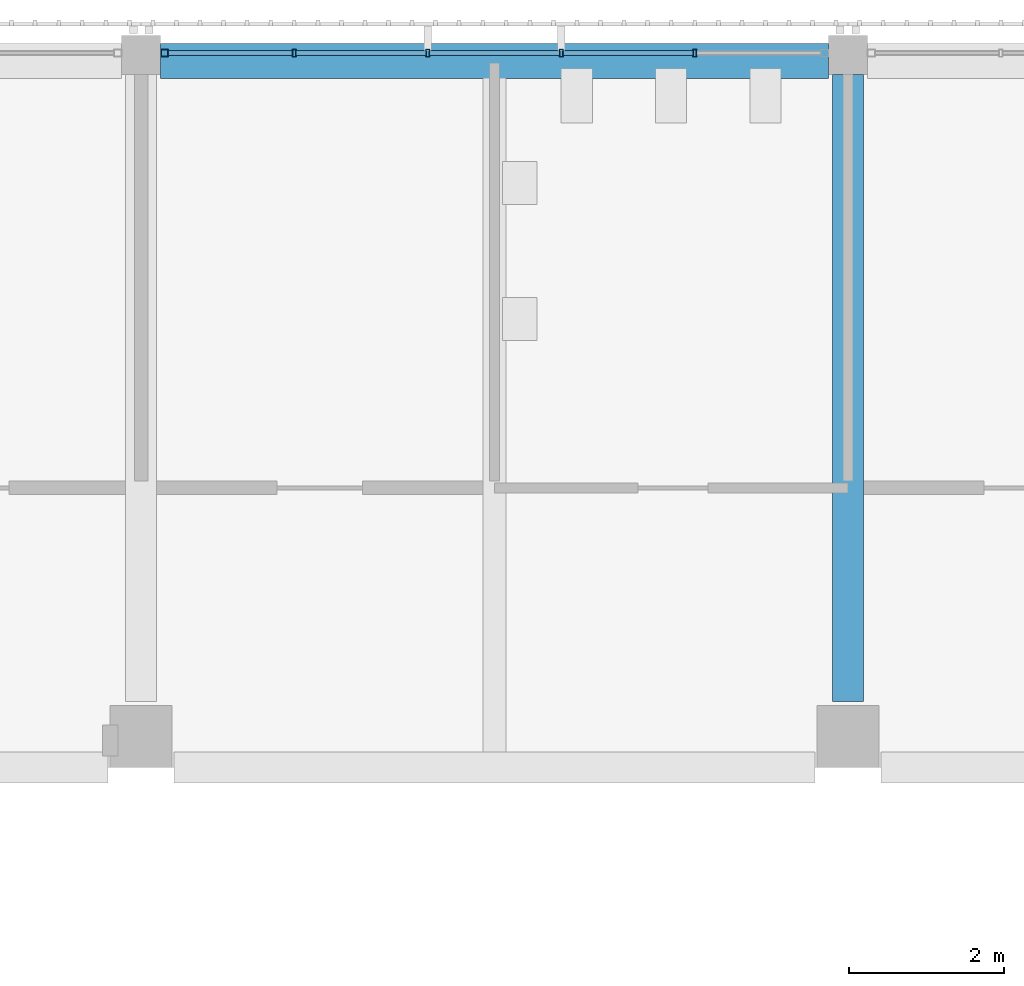
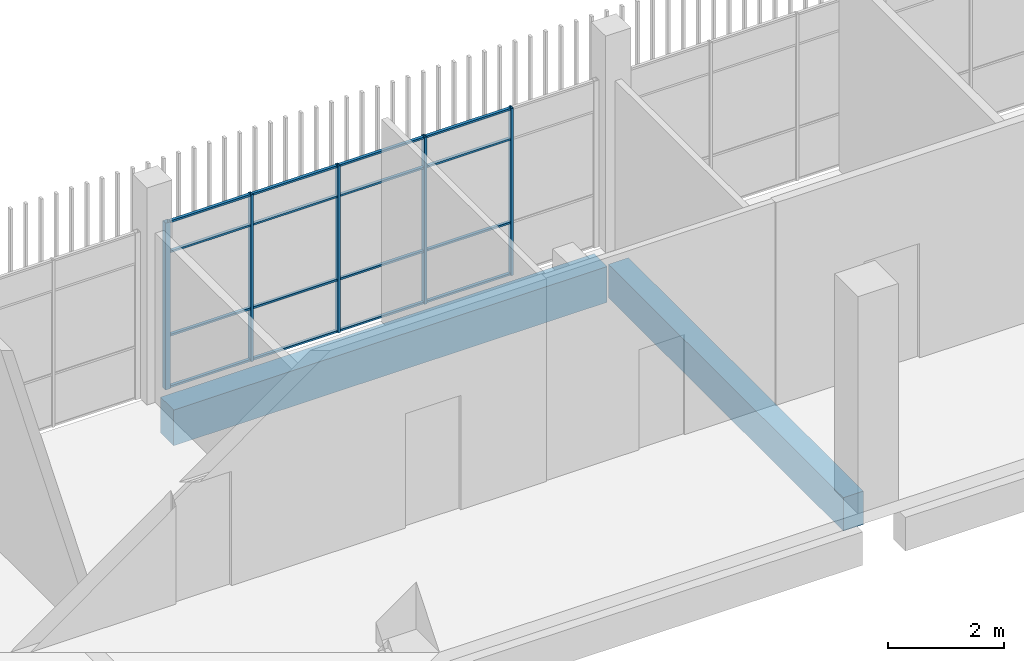
# One storey, part 39 of 124: 21 members, 2 beams, 1 element without a shape of its own.
"""IFC4 building model written with IfcOpenShell, lengths in metres."""

from ifc_helpers import new_model, si_unit, direction, frame, origin, origin_2d, place, context, subcontext, project, spatial, rectangle, hollow_rectangle, extrude, material, layer, layer_set, material_profile, profile_set, type_object, element, aggregate, save


model = new_model("IFC4")

# Units and contexts
model_context = context("Model", 3, precision=1e-05, world=origin(), true_north=direction((0.0, 1.0)))
body_context = subcontext(model_context, "Body", "Model", "MODEL_VIEW")
ifc_project = project(units=[si_unit("LENGTHUNIT", "METRE"), si_unit("AREAUNIT", "SQUARE_METRE"), si_unit("VOLUMEUNIT", "CUBIC_METRE"), si_unit("PLANEANGLEUNIT", "RADIAN"), si_unit("MASSUNIT", "GRAM", prefix="KILO")], contexts=[model_context])

# Site, building, storey
site_placement = place(None, origin())
site = spatial("IfcSite", under=ifc_project, at=site_placement, CompositionType="ELEMENT")
building_placement = place(site_placement, origin())
building = spatial("IfcBuilding", under=site, at=building_placement, Name="Shirokan Park Arena", CompositionType="ELEMENT")
storey_placement = place(building_placement, frame((0.0, 0.0, 20.02001953125)))
storey = spatial("IfcBuildingStorey", under=building, at=storey_placement, Name="L04", CompositionType="ELEMENT", Elevation=20.02001953125)

# Curtain wall, members
ifc_material_1 = material(Name="Steel and glass curtain wall", Category="steel")
ifc_layer = layer(ifc_material_1, 0.10009765625)
ifc_layer_set = layer_set([ifc_layer], Name="Steel and glass curtain wall 100 mm")
curtain_wall_type = type_object("IfcCurtainWallType", Name="Curtain wall sheltered bay 100", PredefinedType="NOTDEFINED", material=ifc_layer_set)
curtain_wall_placement = place(storey_placement, origin())
curtain_wall = element("IfcCurtainWall", 1, at=curtain_wall_placement, inside=storey, type_object=curtain_wall_type, Name="Curtain wall north bay 9 L04", PredefinedType="NOTDEFINED")
ifc_material_2 = material(Name="Steel S355", Category="steel")
ifc_material_profile_1 = material_profile(ifc_material_2, hollow_rectangle(XDim=0.10009765625, YDim=0.10009765625, WallThickness=0.006103515625, at=origin_2d()), Name="RHS 100x100x6")
ifc_profile_set_1 = profile_set([ifc_material_profile_1], Name="Steel S355")
member_type_1 = type_object("IfcMemberType", Name="Mullion RHS 100x100x6", PredefinedType="MULLION", material=ifc_profile_set_1)
member_1_placement = place(storey_placement, frame((64.0, 109.300048828125, 0.0), z_axis=(0.0, 0.0, 1.0), x_axis=(0.0, -1.0, 0.0)))
member_1 = element("IfcMember", 2, at=member_1_placement, type_object=member_type_1, Name="CW2 mullion 6", PredefinedType="MULLION", context=body_context, shape_type="SweptSolid", body=[
    extrude(hollow_rectangle(XDim=0.10009765625, YDim=0.10009765625, WallThickness=0.006103515625, at=origin_2d()), origin(), (0.0, 0.0, 1.0), 3.5),
])
ifc_material_profile_2 = material_profile(ifc_material_2, hollow_rectangle(XDim=0.10009765625, YDim=0.050048828125, WallThickness=0.0048828125, at=origin_2d()), Name="RHS 100x50x5")
ifc_profile_set_2 = profile_set([ifc_material_profile_2], Name="Steel S355")
member_type_2 = type_object("IfcMemberType", Name="Mullion RHS 100x50x5", PredefinedType="MULLION", material=ifc_profile_set_2)
member_2_placement = place(storey_placement, frame((70.830078125, 109.300048828125, 0.0), z_axis=(0.0, 0.0, 1.0), x_axis=(0.0, -1.0, 0.0)))
member_2 = element("IfcMember", 3, at=member_2_placement, type_object=member_type_2, Name="CW2 mullion 2", PredefinedType="MULLION", context=body_context, shape_type="SweptSolid", body=[
    extrude(hollow_rectangle(XDim=0.10009765625, YDim=0.050048828125, WallThickness=0.0048828125, at=origin_2d()), origin(), (0.0, 0.0, 1.0), 3.5),
])
member_3_placement = place(storey_placement, frame((69.110107421875, 109.300048828125, 0.0), z_axis=(0.0, 0.0, 1.0), x_axis=(0.0, -1.0, 0.0)))
member_3 = element("IfcMember", 4, at=member_3_placement, type_object=member_type_2, Name="CW2 mullion 3", PredefinedType="MULLION", context=body_context, shape_type="SweptSolid", body=[
    extrude(hollow_rectangle(XDim=0.10009765625, YDim=0.050048828125, WallThickness=0.0048828125, at=origin_2d()), origin(), (0.0, 0.0, 1.0), 3.5),
])
member_4_placement = place(storey_placement, frame((67.389892578125, 109.300048828125, 0.0), z_axis=(0.0, 0.0, 1.0), x_axis=(0.0, -1.0, 0.0)))
member_4 = element("IfcMember", 5, at=member_4_placement, type_object=member_type_2, Name="CW2 mullion 4", PredefinedType="MULLION", context=body_context, shape_type="SweptSolid", body=[
    extrude(hollow_rectangle(XDim=0.10009765625, YDim=0.050048828125, WallThickness=0.0048828125, at=origin_2d()), origin(), (0.0, 0.0, 1.0), 3.5),
])
member_5_placement = place(storey_placement, frame((65.669921875, 109.300048828125, 0.0), z_axis=(0.0, 0.0, 1.0), x_axis=(0.0, -1.0, 0.0)))
member_5 = element("IfcMember", 6, at=member_5_placement, type_object=member_type_2, Name="CW2 mullion 5", PredefinedType="MULLION", context=body_context, shape_type="SweptSolid", body=[
    extrude(hollow_rectangle(XDim=0.10009765625, YDim=0.050048828125, WallThickness=0.0048828125, at=origin_2d()), origin(), (0.0, 0.0, 1.0), 3.5),
])

# Beams
ifc_material_3 = material(Name="Concrete C35", Category="concrete")
ifc_material_profile_3 = material_profile(ifc_material_3, rectangle(XDim=0.39990234375, YDim=0.699951171875, at=origin_2d()), Name="400x700")
ifc_profile_set_3 = profile_set([ifc_material_profile_3], Name="Concrete C35")
beam_type_1 = type_object("IfcBeamType", Name="RC girder 400x700", PredefinedType="BEAM", material=ifc_profile_set_3)
beam_1_placement = place(storey_placement, frame((72.800048828125, 100.9501953125, -0.60009765625), z_axis=(0.0, 1.0, 0.0), x_axis=(-1.0, 0.0, 0.0)))
element("IfcBeam", 7, at=beam_1_placement, inside=storey, type_object=beam_type_1, Name="Girder 9M-9N L04", PredefinedType="BEAM", context=body_context, shape_type="SweptSolid", body=[
    extrude(rectangle(XDim=0.39990234375, YDim=0.699951171875, at=origin_2d()), origin(), (0.0, 0.0, 1.0), 8.07470703125),
])
ifc_material_profile_4 = material_profile(ifc_material_3, rectangle(XDim=0.449951171875, YDim=0.75, at=origin_2d()), Name="450x750")
ifc_profile_set_4 = profile_set([ifc_material_profile_4], Name="Concrete C35")
beam_type_2 = type_object("IfcBeamType", Name="RC girder 450x750", PredefinedType="BEAM", material=ifc_profile_set_4)
beam_2_placement = place(storey_placement, frame((63.9501953125, 109.199951171875, -0.625), z_axis=(1.0, 0.0, 0.0), x_axis=(0.0, 1.0, 0.0)))
element("IfcBeam", 8, at=beam_2_placement, inside=storey, type_object=beam_type_2, Name="Girder 8N-9N L04", PredefinedType="BEAM", context=body_context, shape_type="SweptSolid", body=[
    extrude(rectangle(XDim=0.449951171875, YDim=0.75, at=origin_2d()), origin(), (0.0, 0.0, 1.0), 8.599609375),
])

# Member
ifc_material_profile_5 = material_profile(ifc_material_2, hollow_rectangle(XDim=0.06005859375, YDim=0.0400390625, WallThickness=0.00390625, at=origin_2d()), Name="RHS 60x40x4")
ifc_profile_set_5 = profile_set([ifc_material_profile_5], Name="Steel S355")
member_type_3 = type_object("IfcMemberType", Name="Transom RHS 60x40x4", PredefinedType="MULLION", material=ifc_profile_set_5)
member_6_placement = place(storey_placement, frame((70.804931640625, 109.300048828125, 0.02001953125), z_axis=(-1.0, 0.0, 0.0), x_axis=(0.0, -1.0, 0.0)))
member_6 = element("IfcMember", 9, at=member_6_placement, type_object=member_type_3, Name="CW2 transom 2.1", PredefinedType="MULLION", context=body_context, shape_type="SweptSolid", body=[
    extrude(hollow_rectangle(XDim=0.06005859375, YDim=0.0400390625, WallThickness=0.00390625, at=origin_2d()), origin(), (0.0, 0.0, 1.0), 1.669921875),
])

member_7_placement = place(storey_placement, frame((70.804931640625, 109.300048828125, 1.10009765625), z_axis=(-1.0, 0.0, 0.0), x_axis=(0.0, -1.0, 0.0)))
member_7 = element("IfcMember", 10, at=member_7_placement, type_object=member_type_3, Name="CW2 transom 2.2", PredefinedType="MULLION", context=body_context, shape_type="SweptSolid", body=[
    extrude(hollow_rectangle(XDim=0.06005859375, YDim=0.0400390625, WallThickness=0.00390625, at=origin_2d()), origin(), (0.0, 0.0, 1.0), 1.669921875),
])

member_8_placement = place(storey_placement, frame((70.804931640625, 109.300048828125, 2.85009765625), z_axis=(-1.0, 0.0, 0.0), x_axis=(0.0, -1.0, 0.0)))
member_8 = element("IfcMember", 11, at=member_8_placement, type_object=member_type_3, Name="CW2 transom 2.3", PredefinedType="MULLION", context=body_context, shape_type="SweptSolid", body=[
    extrude(hollow_rectangle(XDim=0.06005859375, YDim=0.0400390625, WallThickness=0.00390625, at=origin_2d()), origin(), (0.0, 0.0, 1.0), 1.669921875),
])

member_9_placement = place(storey_placement, frame((70.804931640625, 109.300048828125, 3.47998046875), z_axis=(-1.0, 0.0, 0.0), x_axis=(0.0, -1.0, 0.0)))
member_9 = element("IfcMember", 12, at=member_9_placement, type_object=member_type_3, Name="CW2 transom 2.4", PredefinedType="MULLION", context=body_context, shape_type="SweptSolid", body=[
    extrude(hollow_rectangle(XDim=0.06005859375, YDim=0.0400390625, WallThickness=0.00390625, at=origin_2d()), origin(), (0.0, 0.0, 1.0), 1.669921875),
])

member_10_placement = place(storey_placement, frame((69.0849609375, 109.300048828125, 0.02001953125), z_axis=(-1.0, 0.0, 0.0), x_axis=(0.0, -1.0, 0.0)))
member_10 = element("IfcMember", 13, at=member_10_placement, type_object=member_type_3, Name="CW2 transom 3.1", PredefinedType="MULLION", context=body_context, shape_type="SweptSolid", body=[
    extrude(hollow_rectangle(XDim=0.06005859375, YDim=0.0400390625, WallThickness=0.00390625, at=origin_2d()), origin(), (0.0, 0.0, 1.0), 1.669921875),
])

member_11_placement = place(storey_placement, frame((69.0849609375, 109.300048828125, 1.10009765625), z_axis=(-1.0, 0.0, 0.0), x_axis=(0.0, -1.0, 0.0)))
member_11 = element("IfcMember", 14, at=member_11_placement, type_object=member_type_3, Name="CW2 transom 3.2", PredefinedType="MULLION", context=body_context, shape_type="SweptSolid", body=[
    extrude(hollow_rectangle(XDim=0.06005859375, YDim=0.0400390625, WallThickness=0.00390625, at=origin_2d()), origin(), (0.0, 0.0, 1.0), 1.669921875),
])

member_12_placement = place(storey_placement, frame((69.0849609375, 109.300048828125, 2.85009765625), z_axis=(-1.0, 0.0, 0.0), x_axis=(0.0, -1.0, 0.0)))
member_12 = element("IfcMember", 15, at=member_12_placement, type_object=member_type_3, Name="CW2 transom 3.3", PredefinedType="MULLION", context=body_context, shape_type="SweptSolid", body=[
    extrude(hollow_rectangle(XDim=0.06005859375, YDim=0.0400390625, WallThickness=0.00390625, at=origin_2d()), origin(), (0.0, 0.0, 1.0), 1.669921875),
])

member_13_placement = place(storey_placement, frame((69.0849609375, 109.300048828125, 3.47998046875), z_axis=(-1.0, 0.0, 0.0), x_axis=(0.0, -1.0, 0.0)))
member_13 = element("IfcMember", 16, at=member_13_placement, type_object=member_type_3, Name="CW2 transom 3.4", PredefinedType="MULLION", context=body_context, shape_type="SweptSolid", body=[
    extrude(hollow_rectangle(XDim=0.06005859375, YDim=0.0400390625, WallThickness=0.00390625, at=origin_2d()), origin(), (0.0, 0.0, 1.0), 1.669921875),
])

member_14_placement = place(storey_placement, frame((67.364990234375, 109.300048828125, 0.02001953125), z_axis=(-1.0, 0.0, 0.0), x_axis=(0.0, -1.0, 0.0)))
member_14 = element("IfcMember", 17, at=member_14_placement, type_object=member_type_3, Name="CW2 transom 4.1", PredefinedType="MULLION", context=body_context, shape_type="SweptSolid", body=[
    extrude(hollow_rectangle(XDim=0.06005859375, YDim=0.0400390625, WallThickness=0.00390625, at=origin_2d()), origin(), (0.0, 0.0, 1.0), 1.669921875),
])

member_15_placement = place(storey_placement, frame((67.364990234375, 109.300048828125, 1.10009765625), z_axis=(-1.0, 0.0, 0.0), x_axis=(0.0, -1.0, 0.0)))
member_15 = element("IfcMember", 18, at=member_15_placement, type_object=member_type_3, Name="CW2 transom 4.2", PredefinedType="MULLION", context=body_context, shape_type="SweptSolid", body=[
    extrude(hollow_rectangle(XDim=0.06005859375, YDim=0.0400390625, WallThickness=0.00390625, at=origin_2d()), origin(), (0.0, 0.0, 1.0), 1.669921875),
])

member_16_placement = place(storey_placement, frame((67.364990234375, 109.300048828125, 2.85009765625), z_axis=(-1.0, 0.0, 0.0), x_axis=(0.0, -1.0, 0.0)))
member_16 = element("IfcMember", 19, at=member_16_placement, type_object=member_type_3, Name="CW2 transom 4.3", PredefinedType="MULLION", context=body_context, shape_type="SweptSolid", body=[
    extrude(hollow_rectangle(XDim=0.06005859375, YDim=0.0400390625, WallThickness=0.00390625, at=origin_2d()), origin(), (0.0, 0.0, 1.0), 1.669921875),
])

member_17_placement = place(storey_placement, frame((67.364990234375, 109.300048828125, 3.47998046875), z_axis=(-1.0, 0.0, 0.0), x_axis=(0.0, -1.0, 0.0)))
member_17 = element("IfcMember", 20, at=member_17_placement, type_object=member_type_3, Name="CW2 transom 4.4", PredefinedType="MULLION", context=body_context, shape_type="SweptSolid", body=[
    extrude(hollow_rectangle(XDim=0.06005859375, YDim=0.0400390625, WallThickness=0.00390625, at=origin_2d()), origin(), (0.0, 0.0, 1.0), 1.669921875),
])

member_18_placement = place(storey_placement, frame((65.64501953125, 109.300048828125, 0.02001953125), z_axis=(-1.0, 0.0, 0.0), x_axis=(0.0, -1.0, 0.0)))
member_18 = element("IfcMember", 21, at=member_18_placement, type_object=member_type_3, Name="CW2 transom 5.1", PredefinedType="MULLION", context=body_context, shape_type="SweptSolid", body=[
    extrude(hollow_rectangle(XDim=0.06005859375, YDim=0.0400390625, WallThickness=0.00390625, at=origin_2d()), origin(), (0.0, 0.0, 1.0), 1.594970703125),
])

member_19_placement = place(storey_placement, frame((65.64501953125, 109.300048828125, 1.10009765625), z_axis=(-1.0, 0.0, 0.0), x_axis=(0.0, -1.0, 0.0)))
member_19 = element("IfcMember", 22, at=member_19_placement, type_object=member_type_3, Name="CW2 transom 5.2", PredefinedType="MULLION", context=body_context, shape_type="SweptSolid", body=[
    extrude(hollow_rectangle(XDim=0.06005859375, YDim=0.0400390625, WallThickness=0.00390625, at=origin_2d()), origin(), (0.0, 0.0, 1.0), 1.594970703125),
])

member_20_placement = place(storey_placement, frame((65.64501953125, 109.300048828125, 2.85009765625), z_axis=(-1.0, 0.0, 0.0), x_axis=(0.0, -1.0, 0.0)))
member_20 = element("IfcMember", 23, at=member_20_placement, type_object=member_type_3, Name="CW2 transom 5.3", PredefinedType="MULLION", context=body_context, shape_type="SweptSolid", body=[
    extrude(hollow_rectangle(XDim=0.06005859375, YDim=0.0400390625, WallThickness=0.00390625, at=origin_2d()), origin(), (0.0, 0.0, 1.0), 1.594970703125),
])

member_21_placement = place(storey_placement, frame((65.64501953125, 109.300048828125, 3.47998046875), z_axis=(-1.0, 0.0, 0.0), x_axis=(0.0, -1.0, 0.0)))
member_21 = element("IfcMember", 24, at=member_21_placement, type_object=member_type_3, Name="CW2 transom 5.4", PredefinedType="MULLION", context=body_context, shape_type="SweptSolid", body=[
    extrude(hollow_rectangle(XDim=0.06005859375, YDim=0.0400390625, WallThickness=0.00390625, at=origin_2d()), origin(), (0.0, 0.0, 1.0), 1.594970703125),
])

aggregate(curtain_wall, [member_2, member_3, member_4, member_5, member_1, member_6, member_7, member_8, member_9, member_10, member_11, member_12, member_13, member_14, member_15, member_16, member_17, member_18, member_19, member_20, member_21])

save(model, "model.ifc")
